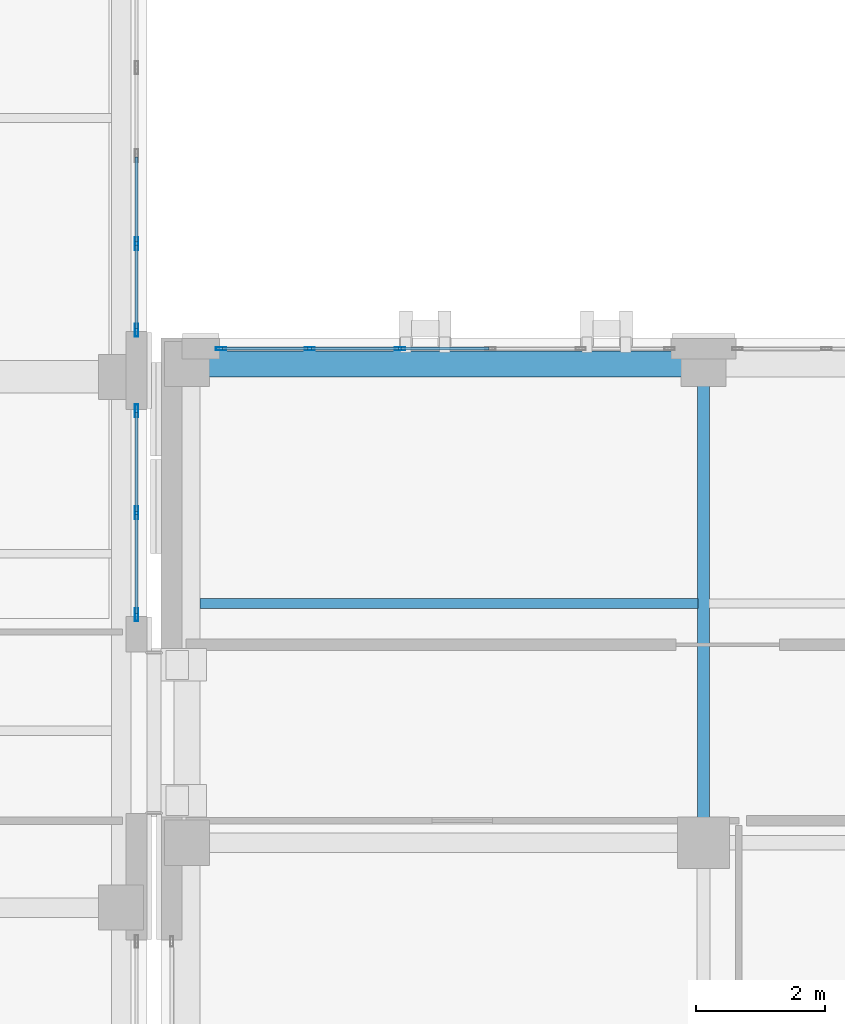
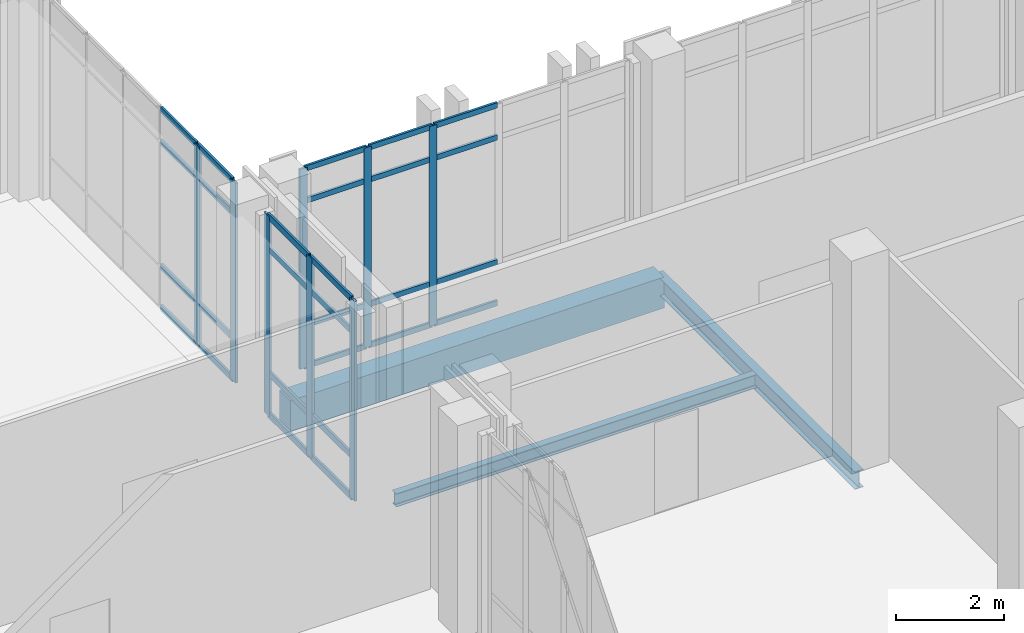
# One storey, part 50 of 189: 36 members, 3 beams, 3 elements without a shape of their own.
"""IFC4 building model written with IfcOpenShell, lengths in metres."""

from ifc_helpers import new_model, si_unit, direction, frame, origin, origin_2d, place, context, subcontext, project, spatial, rectangle, hollow_rectangle, i_section, extrude, material, layer, layer_set, material_profile, profile_set, type_object, element, aggregate, save


model = new_model("IFC4")

# Units and contexts
model_context = context("Model", 3, precision=1e-05, world=origin(), true_north=direction((0.0, 1.0)))
body_context = subcontext(model_context, "Body", "Model", "MODEL_VIEW")
ifc_project = project(units=[si_unit("LENGTHUNIT", "METRE"), si_unit("AREAUNIT", "SQUARE_METRE"), si_unit("VOLUMEUNIT", "CUBIC_METRE"), si_unit("PLANEANGLEUNIT", "RADIAN"), si_unit("MASSUNIT", "GRAM", prefix="KILO")], contexts=[model_context])

# Site, building, storey
site_placement = place(None, origin())
site = spatial("IfcSite", under=ifc_project, at=site_placement, CompositionType="ELEMENT")
building_placement = place(site_placement, origin())
building = spatial("IfcBuilding", under=site, at=building_placement, Name="Qalavern Law Courts", CompositionType="ELEMENT")
storey_placement = place(building_placement, frame((0.0, 0.0, 5.39990234375)))
storey = spatial("IfcBuildingStorey", under=building, at=storey_placement, Name="L01", CompositionType="ELEMENT", Elevation=5.39990234375)

# Curtain wall, members
ifc_material_1 = material(Name="Anodised aluminium and insulated glazing", Category="aluminium")
ifc_layer_1 = layer(ifc_material_1, 0.172119140625)
ifc_layer_set_1 = layer_set([ifc_layer_1], Name="Anodised aluminium and insulated glazing")
curtain_wall_type_1 = type_object("IfcCurtainWallType", Name="ENV-CW-COURT", PredefinedType="USERDEFINED", material=ifc_layer_set_1)
curtain_wall_1_placement = place(storey_placement, origin())
curtain_wall_1 = element("IfcCurtainWall", 1, at=curtain_wall_1_placement, inside=storey, type_object=curtain_wall_type_1, Name="V6 unitised curtain wall L01 north 8", ObjectType="UNITISED CURTAIN WALL", PredefinedType="USERDEFINED")
ifc_material_2 = material(Name="Anodised aluminium", Category="aluminium")
ifc_material_profile_1 = material_profile(ifc_material_2, hollow_rectangle(XDim=0.048095703125, YDim=0.159912109375, WallThickness=0.00390625, at=origin_2d()), Name="ALU MULLION 48x160")
ifc_profile_set_1 = profile_set([ifc_material_profile_1], Name="Anodised aluminium")
member_type_1 = type_object("IfcMemberType", Name="ENV-CWM-48x160", PredefinedType="MULLION", material=ifc_profile_set_1)
member_1_placement = place(storey_placement, frame((105.112060546875, 22.4375, 0.0), z_axis=(0.0, 0.0, 1.0), x_axis=(0.0, -1.0, 0.0)))
member_1 = element("IfcMember", 2, at=member_1_placement, type_object=member_type_1, Name="CW-03 mullion 4", PredefinedType="MULLION", context=body_context, shape_type="SweptSolid", body=[
    extrude(hollow_rectangle(XDim=0.048095703125, YDim=0.159912109375, WallThickness=0.00390625, at=origin_2d()), origin(), (0.0, 0.0, 1.0), 4.510009765625),
])
member_2_placement = place(storey_placement, frame((103.716064453125, 22.4375, 0.0), z_axis=(0.0, 0.0, 1.0), x_axis=(0.0, -1.0, 0.0)))
member_2 = element("IfcMember", 3, at=member_2_placement, type_object=member_type_1, Name="CW-03 mullion 5", PredefinedType="MULLION", context=body_context, shape_type="SweptSolid", body=[
    extrude(hollow_rectangle(XDim=0.048095703125, YDim=0.159912109375, WallThickness=0.00390625, at=origin_2d()), origin(), (0.0, 0.0, 1.0), 4.510009765625),
])
member_3_placement = place(storey_placement, frame((102.343994140625, 22.4375, 0.0), z_axis=(0.0, 0.0, 1.0), x_axis=(0.0, -1.0, 0.0)))
member_3 = element("IfcMember", 4, at=member_3_placement, type_object=member_type_1, Name="CW-03 mullion 6", PredefinedType="MULLION", context=body_context, shape_type="SweptSolid", body=[
    extrude(hollow_rectangle(XDim=0.048095703125, YDim=0.159912109375, WallThickness=0.00390625, at=origin_2d()), origin(), (0.0, 0.0, 1.0), 4.510009765625),
])

ifc_layer_2 = layer(ifc_material_1, 0.18505859375)
ifc_layer_set_2 = layer_set([ifc_layer_2], Name="Anodised aluminium and insulated glazing")
curtain_wall_type_2 = type_object("IfcCurtainWallType", Name="ENV-CW-HALL", PredefinedType="USERDEFINED", material=ifc_layer_set_2)
curtain_wall_2_placement = place(storey_placement, origin())
curtain_wall_2 = element("IfcCurtainWall", 5, at=curtain_wall_2_placement, inside=storey, type_object=curtain_wall_type_2, Name="V2 unitised curtain wall L01 east 1", ObjectType="UNITISED CURTAIN WALL", PredefinedType="USERDEFINED")
ifc_material_profile_2 = material_profile(ifc_material_2, hollow_rectangle(XDim=0.048095703125, YDim=0.199951171875, WallThickness=0.00439453125, at=origin_2d()), Name="ALU MULLION 48x200")
ifc_profile_set_2 = profile_set([ifc_material_profile_2], Name="Anodised aluminium")
member_type_2 = type_object("IfcMemberType", Name="ENV-CWM-48x200", PredefinedType="MULLION", material=ifc_profile_set_2)
member_4_placement = place(storey_placement, frame((101.03759765625, 18.323974609375, 0.0), z_axis=(0.0, 0.0, 1.0), x_axis=(-1.0, 0.0, 0.0)))
member_4 = element("IfcMember", 6, at=member_4_placement, type_object=member_type_2, Name="CW-02 mullion 1", PredefinedType="MULLION", context=body_context, shape_type="SweptSolid", body=[
    extrude(hollow_rectangle(XDim=0.048095703125, YDim=0.199951171875, WallThickness=0.00439453125, at=origin_2d()), origin(), (0.0, 0.0, 1.0), 4.510009765625),
])
member_5_placement = place(storey_placement, frame((101.03759765625, 19.89990234375, 0.0), z_axis=(0.0, 0.0, 1.0), x_axis=(-1.0, 0.0, 0.0)))
member_5 = element("IfcMember", 7, at=member_5_placement, type_object=member_type_2, Name="CW-02 mullion 2", PredefinedType="MULLION", context=body_context, shape_type="SweptSolid", body=[
    extrude(hollow_rectangle(XDim=0.048095703125, YDim=0.199951171875, WallThickness=0.00439453125, at=origin_2d()), origin(), (0.0, 0.0, 1.0), 4.510009765625),
])
member_6_placement = place(storey_placement, frame((101.03759765625, 21.47607421875, 0.0), z_axis=(0.0, 0.0, 1.0), x_axis=(-1.0, 0.0, 0.0)))
member_6 = element("IfcMember", 8, at=member_6_placement, type_object=member_type_2, Name="CW-02 mullion 3", PredefinedType="MULLION", context=body_context, shape_type="SweptSolid", body=[
    extrude(hollow_rectangle(XDim=0.048095703125, YDim=0.199951171875, WallThickness=0.00439453125, at=origin_2d()), origin(), (0.0, 0.0, 1.0), 4.510009765625),
])

curtain_wall_3_placement = place(storey_placement, origin())
curtain_wall_3 = element("IfcCurtainWall", 9, at=curtain_wall_3_placement, inside=storey, type_object=curtain_wall_type_2, Name="V2 unitised curtain wall L01 east 2", ObjectType="UNITISED CURTAIN WALL", PredefinedType="USERDEFINED")
member_7_placement = place(storey_placement, frame((101.03759765625, 22.72412109375, 0.0), z_axis=(0.0, 0.0, 1.0), x_axis=(-1.0, 0.0, 0.0)))
member_7 = element("IfcMember", 10, at=member_7_placement, type_object=member_type_2, Name="CW-02 mullion 1", PredefinedType="MULLION", context=body_context, shape_type="SweptSolid", body=[
    extrude(hollow_rectangle(XDim=0.048095703125, YDim=0.199951171875, WallThickness=0.00439453125, at=origin_2d()), origin(), (0.0, 0.0, 1.0), 4.510009765625),
])
member_8_placement = place(storey_placement, frame((101.03759765625, 24.06005859375, 0.0), z_axis=(0.0, 0.0, 1.0), x_axis=(-1.0, 0.0, 0.0)))
member_8 = element("IfcMember", 11, at=member_8_placement, type_object=member_type_2, Name="CW-02 mullion 2", PredefinedType="MULLION", context=body_context, shape_type="SweptSolid", body=[
    extrude(hollow_rectangle(XDim=0.048095703125, YDim=0.199951171875, WallThickness=0.00439453125, at=origin_2d()), origin(), (0.0, 0.0, 1.0), 4.510009765625),
])

# Member
ifc_material_profile_3 = material_profile(ifc_material_2, hollow_rectangle(XDim=0.048095703125, YDim=0.1201171875, WallThickness=0.00390625, at=origin_2d()), Name="ALU TRANSOM 48x120")
ifc_profile_set_3 = profile_set([ifc_material_profile_3], Name="Anodised aluminium")
member_type_3 = type_object("IfcMemberType", Name="ENV-CWT-48x120", PredefinedType="USERDEFINED", material=ifc_profile_set_3)
member_9_placement = place(storey_placement, frame((106.48388671875, 22.4375, 0.024169921875), z_axis=(-1.0, 0.0, 0.0), x_axis=(0.0, -1.0, 0.0)))
member_9 = element("IfcMember", 12, at=member_9_placement, type_object=member_type_3, Name="CW-03 transom 3.1", ObjectType="TRANSOM", PredefinedType="USERDEFINED", context=body_context, shape_type="SweptSolid", body=[
    extrude(hollow_rectangle(XDim=0.048095703125, YDim=0.1201171875, WallThickness=0.00390625, at=origin_2d()), origin(), (0.0, 0.0, 1.0), 1.347900390625),
])

member_10_placement = place(storey_placement, frame((106.48388671875, 22.4375, 0.9501953125), z_axis=(-1.0, 0.0, 0.0), x_axis=(0.0, -1.0, 0.0)))
member_10 = element("IfcMember", 13, at=member_10_placement, type_object=member_type_3, Name="CW-03 transom 3.2", ObjectType="TRANSOM", PredefinedType="USERDEFINED", context=body_context, shape_type="SweptSolid", body=[
    extrude(hollow_rectangle(XDim=0.048095703125, YDim=0.1201171875, WallThickness=0.00390625, at=origin_2d()), origin(), (0.0, 0.0, 1.0), 1.347900390625),
])

member_11_placement = place(storey_placement, frame((106.48388671875, 22.4375, 3.760009765625), z_axis=(-1.0, 0.0, 0.0), x_axis=(0.0, -1.0, 0.0)))
member_11 = element("IfcMember", 14, at=member_11_placement, type_object=member_type_3, Name="CW-03 transom 3.3", ObjectType="TRANSOM", PredefinedType="USERDEFINED", context=body_context, shape_type="SweptSolid", body=[
    extrude(hollow_rectangle(XDim=0.048095703125, YDim=0.1201171875, WallThickness=0.00390625, at=origin_2d()), origin(), (0.0, 0.0, 1.0), 1.347900390625),
])

member_12_placement = place(storey_placement, frame((106.48388671875, 22.4375, 4.486083984375), z_axis=(-1.0, 0.0, 0.0), x_axis=(0.0, -1.0, 0.0)))
member_12 = element("IfcMember", 15, at=member_12_placement, type_object=member_type_3, Name="CW-03 transom 3.4", ObjectType="TRANSOM", PredefinedType="USERDEFINED", context=body_context, shape_type="SweptSolid", body=[
    extrude(hollow_rectangle(XDim=0.048095703125, YDim=0.1201171875, WallThickness=0.00390625, at=origin_2d()), origin(), (0.0, 0.0, 1.0), 1.347900390625),
])

member_13_placement = place(storey_placement, frame((105.087890625, 22.4375, 0.024169921875), z_axis=(-1.0, 0.0, 0.0), x_axis=(0.0, -1.0, 0.0)))
member_13 = element("IfcMember", 16, at=member_13_placement, type_object=member_type_3, Name="CW-03 transom 4.1", ObjectType="TRANSOM", PredefinedType="USERDEFINED", context=body_context, shape_type="SweptSolid", body=[
    extrude(hollow_rectangle(XDim=0.048095703125, YDim=0.1201171875, WallThickness=0.00390625, at=origin_2d()), origin(), (0.0, 0.0, 1.0), 1.347900390625),
])

member_14_placement = place(storey_placement, frame((105.087890625, 22.4375, 0.9501953125), z_axis=(-1.0, 0.0, 0.0), x_axis=(0.0, -1.0, 0.0)))
member_14 = element("IfcMember", 17, at=member_14_placement, type_object=member_type_3, Name="CW-03 transom 4.2", ObjectType="TRANSOM", PredefinedType="USERDEFINED", context=body_context, shape_type="SweptSolid", body=[
    extrude(hollow_rectangle(XDim=0.048095703125, YDim=0.1201171875, WallThickness=0.00390625, at=origin_2d()), origin(), (0.0, 0.0, 1.0), 1.347900390625),
])

member_15_placement = place(storey_placement, frame((105.087890625, 22.4375, 3.760009765625), z_axis=(-1.0, 0.0, 0.0), x_axis=(0.0, -1.0, 0.0)))
member_15 = element("IfcMember", 18, at=member_15_placement, type_object=member_type_3, Name="CW-03 transom 4.3", ObjectType="TRANSOM", PredefinedType="USERDEFINED", context=body_context, shape_type="SweptSolid", body=[
    extrude(hollow_rectangle(XDim=0.048095703125, YDim=0.1201171875, WallThickness=0.00390625, at=origin_2d()), origin(), (0.0, 0.0, 1.0), 1.347900390625),
])

member_16_placement = place(storey_placement, frame((105.087890625, 22.4375, 4.486083984375), z_axis=(-1.0, 0.0, 0.0), x_axis=(0.0, -1.0, 0.0)))
member_16 = element("IfcMember", 19, at=member_16_placement, type_object=member_type_3, Name="CW-03 transom 4.4", ObjectType="TRANSOM", PredefinedType="USERDEFINED", context=body_context, shape_type="SweptSolid", body=[
    extrude(hollow_rectangle(XDim=0.048095703125, YDim=0.1201171875, WallThickness=0.00390625, at=origin_2d()), origin(), (0.0, 0.0, 1.0), 1.347900390625),
])

member_17_placement = place(storey_placement, frame((103.69189453125, 22.4375, 0.024169921875), z_axis=(-1.0, 0.0, 0.0), x_axis=(0.0, -1.0, 0.0)))
member_17 = element("IfcMember", 20, at=member_17_placement, type_object=member_type_3, Name="CW-03 transom 5.1", ObjectType="TRANSOM", PredefinedType="USERDEFINED", context=body_context, shape_type="SweptSolid", body=[
    extrude(hollow_rectangle(XDim=0.048095703125, YDim=0.1201171875, WallThickness=0.00390625, at=origin_2d()), origin(), (0.0, 0.0, 1.0), 1.323974609375),
])

member_18_placement = place(storey_placement, frame((103.69189453125, 22.4375, 0.9501953125), z_axis=(-1.0, 0.0, 0.0), x_axis=(0.0, -1.0, 0.0)))
member_18 = element("IfcMember", 21, at=member_18_placement, type_object=member_type_3, Name="CW-03 transom 5.2", ObjectType="TRANSOM", PredefinedType="USERDEFINED", context=body_context, shape_type="SweptSolid", body=[
    extrude(hollow_rectangle(XDim=0.048095703125, YDim=0.1201171875, WallThickness=0.00390625, at=origin_2d()), origin(), (0.0, 0.0, 1.0), 1.323974609375),
])

member_19_placement = place(storey_placement, frame((103.69189453125, 22.4375, 3.760009765625), z_axis=(-1.0, 0.0, 0.0), x_axis=(0.0, -1.0, 0.0)))
member_19 = element("IfcMember", 22, at=member_19_placement, type_object=member_type_3, Name="CW-03 transom 5.3", ObjectType="TRANSOM", PredefinedType="USERDEFINED", context=body_context, shape_type="SweptSolid", body=[
    extrude(hollow_rectangle(XDim=0.048095703125, YDim=0.1201171875, WallThickness=0.00390625, at=origin_2d()), origin(), (0.0, 0.0, 1.0), 1.323974609375),
])

member_20_placement = place(storey_placement, frame((103.69189453125, 22.4375, 4.486083984375), z_axis=(-1.0, 0.0, 0.0), x_axis=(0.0, -1.0, 0.0)))
member_20 = element("IfcMember", 23, at=member_20_placement, type_object=member_type_3, Name="CW-03 transom 5.4", ObjectType="TRANSOM", PredefinedType="USERDEFINED", context=body_context, shape_type="SweptSolid", body=[
    extrude(hollow_rectangle(XDim=0.048095703125, YDim=0.1201171875, WallThickness=0.00390625, at=origin_2d()), origin(), (0.0, 0.0, 1.0), 1.323974609375),
])

aggregate(curtain_wall_1, [member_1, member_2, member_3, member_9, member_10, member_11, member_12, member_13, member_14, member_15, member_16, member_17, member_18, member_19, member_20])

ifc_material_profile_4 = material_profile(ifc_material_2, hollow_rectangle(XDim=0.048095703125, YDim=0.139892578125, WallThickness=0.00390625, at=origin_2d()), Name="ALU TRANSOM 48x140")
ifc_profile_set_4 = profile_set([ifc_material_profile_4], Name="Anodised aluminium")
member_type_4 = type_object("IfcMemberType", Name="ENV-CWT-48x140", PredefinedType="USERDEFINED", material=ifc_profile_set_4)
member_21_placement = place(storey_placement, frame((101.03759765625, 18.347900390625, 0.024169921875), z_axis=(0.0, 1.0, 0.0), x_axis=(-1.0, 0.0, 0.0)))
member_21 = element("IfcMember", 24, at=member_21_placement, type_object=member_type_4, Name="CW-02 transom 1.1", ObjectType="TRANSOM", PredefinedType="USERDEFINED", context=body_context, shape_type="SweptSolid", body=[
    extrude(hollow_rectangle(XDim=0.048095703125, YDim=0.139892578125, WallThickness=0.00390625, at=origin_2d()), origin(), (0.0, 0.0, 1.0), 1.528076171875),
])

member_22_placement = place(storey_placement, frame((101.03759765625, 18.347900390625, 0.9501953125), z_axis=(0.0, 1.0, 0.0), x_axis=(-1.0, 0.0, 0.0)))
member_22 = element("IfcMember", 25, at=member_22_placement, type_object=member_type_4, Name="CW-02 transom 1.2", ObjectType="TRANSOM", PredefinedType="USERDEFINED", context=body_context, shape_type="SweptSolid", body=[
    extrude(hollow_rectangle(XDim=0.048095703125, YDim=0.139892578125, WallThickness=0.00390625, at=origin_2d()), origin(), (0.0, 0.0, 1.0), 1.528076171875),
])

member_23_placement = place(storey_placement, frame((101.03759765625, 18.347900390625, 3.760009765625), z_axis=(0.0, 1.0, 0.0), x_axis=(-1.0, 0.0, 0.0)))
member_23 = element("IfcMember", 26, at=member_23_placement, type_object=member_type_4, Name="CW-02 transom 1.3", ObjectType="TRANSOM", PredefinedType="USERDEFINED", context=body_context, shape_type="SweptSolid", body=[
    extrude(hollow_rectangle(XDim=0.048095703125, YDim=0.139892578125, WallThickness=0.00390625, at=origin_2d()), origin(), (0.0, 0.0, 1.0), 1.528076171875),
])

member_24_placement = place(storey_placement, frame((101.03759765625, 18.347900390625, 4.486083984375), z_axis=(0.0, 1.0, 0.0), x_axis=(-1.0, 0.0, 0.0)))
member_24 = element("IfcMember", 27, at=member_24_placement, type_object=member_type_4, Name="CW-02 transom 1.4", ObjectType="TRANSOM", PredefinedType="USERDEFINED", context=body_context, shape_type="SweptSolid", body=[
    extrude(hollow_rectangle(XDim=0.048095703125, YDim=0.139892578125, WallThickness=0.00390625, at=origin_2d()), origin(), (0.0, 0.0, 1.0), 1.528076171875),
])

member_25_placement = place(storey_placement, frame((101.03759765625, 19.924072265625, 0.024169921875), z_axis=(0.0, 1.0, 0.0), x_axis=(-1.0, 0.0, 0.0)))
member_25 = element("IfcMember", 28, at=member_25_placement, type_object=member_type_4, Name="CW-02 transom 2.1", ObjectType="TRANSOM", PredefinedType="USERDEFINED", context=body_context, shape_type="SweptSolid", body=[
    extrude(hollow_rectangle(XDim=0.048095703125, YDim=0.139892578125, WallThickness=0.00390625, at=origin_2d()), origin(), (0.0, 0.0, 1.0), 1.52783203125),
])

member_26_placement = place(storey_placement, frame((101.03759765625, 19.924072265625, 0.9501953125), z_axis=(0.0, 1.0, 0.0), x_axis=(-1.0, 0.0, 0.0)))
member_26 = element("IfcMember", 29, at=member_26_placement, type_object=member_type_4, Name="CW-02 transom 2.2", ObjectType="TRANSOM", PredefinedType="USERDEFINED", context=body_context, shape_type="SweptSolid", body=[
    extrude(hollow_rectangle(XDim=0.048095703125, YDim=0.139892578125, WallThickness=0.00390625, at=origin_2d()), origin(), (0.0, 0.0, 1.0), 1.52783203125),
])

member_27_placement = place(storey_placement, frame((101.03759765625, 19.924072265625, 3.760009765625), z_axis=(0.0, 1.0, 0.0), x_axis=(-1.0, 0.0, 0.0)))
member_27 = element("IfcMember", 30, at=member_27_placement, type_object=member_type_4, Name="CW-02 transom 2.3", ObjectType="TRANSOM", PredefinedType="USERDEFINED", context=body_context, shape_type="SweptSolid", body=[
    extrude(hollow_rectangle(XDim=0.048095703125, YDim=0.139892578125, WallThickness=0.00390625, at=origin_2d()), origin(), (0.0, 0.0, 1.0), 1.52783203125),
])

member_28_placement = place(storey_placement, frame((101.03759765625, 19.924072265625, 4.486083984375), z_axis=(0.0, 1.0, 0.0), x_axis=(-1.0, 0.0, 0.0)))
member_28 = element("IfcMember", 31, at=member_28_placement, type_object=member_type_4, Name="CW-02 transom 2.4", ObjectType="TRANSOM", PredefinedType="USERDEFINED", context=body_context, shape_type="SweptSolid", body=[
    extrude(hollow_rectangle(XDim=0.048095703125, YDim=0.139892578125, WallThickness=0.00390625, at=origin_2d()), origin(), (0.0, 0.0, 1.0), 1.52783203125),
])

aggregate(curtain_wall_2, [member_4, member_5, member_6, member_21, member_22, member_23, member_24, member_25, member_26, member_27, member_28])

member_29_placement = place(storey_placement, frame((101.03759765625, 22.748046875, 0.024169921875), z_axis=(0.0, 1.0, 0.0), x_axis=(-1.0, 0.0, 0.0)))
member_29 = element("IfcMember", 32, at=member_29_placement, type_object=member_type_4, Name="CW-02 transom 1.1", ObjectType="TRANSOM", PredefinedType="USERDEFINED", context=body_context, shape_type="SweptSolid", body=[
    extrude(hollow_rectangle(XDim=0.048095703125, YDim=0.139892578125, WallThickness=0.00390625, at=origin_2d()), origin(), (0.0, 0.0, 1.0), 1.287841796875),
])

member_30_placement = place(storey_placement, frame((101.03759765625, 22.748046875, 0.9501953125), z_axis=(0.0, 1.0, 0.0), x_axis=(-1.0, 0.0, 0.0)))
member_30 = element("IfcMember", 33, at=member_30_placement, type_object=member_type_4, Name="CW-02 transom 1.2", ObjectType="TRANSOM", PredefinedType="USERDEFINED", context=body_context, shape_type="SweptSolid", body=[
    extrude(hollow_rectangle(XDim=0.048095703125, YDim=0.139892578125, WallThickness=0.00390625, at=origin_2d()), origin(), (0.0, 0.0, 1.0), 1.287841796875),
])

member_31_placement = place(storey_placement, frame((101.03759765625, 22.748046875, 3.760009765625), z_axis=(0.0, 1.0, 0.0), x_axis=(-1.0, 0.0, 0.0)))
member_31 = element("IfcMember", 34, at=member_31_placement, type_object=member_type_4, Name="CW-02 transom 1.3", ObjectType="TRANSOM", PredefinedType="USERDEFINED", context=body_context, shape_type="SweptSolid", body=[
    extrude(hollow_rectangle(XDim=0.048095703125, YDim=0.139892578125, WallThickness=0.00390625, at=origin_2d()), origin(), (0.0, 0.0, 1.0), 1.287841796875),
])

member_32_placement = place(storey_placement, frame((101.03759765625, 22.748046875, 4.486083984375), z_axis=(0.0, 1.0, 0.0), x_axis=(-1.0, 0.0, 0.0)))
member_32 = element("IfcMember", 35, at=member_32_placement, type_object=member_type_4, Name="CW-02 transom 1.4", ObjectType="TRANSOM", PredefinedType="USERDEFINED", context=body_context, shape_type="SweptSolid", body=[
    extrude(hollow_rectangle(XDim=0.048095703125, YDim=0.139892578125, WallThickness=0.00390625, at=origin_2d()), origin(), (0.0, 0.0, 1.0), 1.287841796875),
])

member_33_placement = place(storey_placement, frame((101.03759765625, 24.083984375, 0.024169921875), z_axis=(0.0, 1.0, 0.0), x_axis=(-1.0, 0.0, 0.0)))
member_33 = element("IfcMember", 36, at=member_33_placement, type_object=member_type_4, Name="CW-02 transom 2.1", ObjectType="TRANSOM", PredefinedType="USERDEFINED", context=body_context, shape_type="SweptSolid", body=[
    extrude(hollow_rectangle(XDim=0.048095703125, YDim=0.139892578125, WallThickness=0.00390625, at=origin_2d()), origin(), (0.0, 0.0, 1.0), 1.31201171875),
])

member_34_placement = place(storey_placement, frame((101.03759765625, 24.083984375, 0.9501953125), z_axis=(0.0, 1.0, 0.0), x_axis=(-1.0, 0.0, 0.0)))
member_34 = element("IfcMember", 37, at=member_34_placement, type_object=member_type_4, Name="CW-02 transom 2.2", ObjectType="TRANSOM", PredefinedType="USERDEFINED", context=body_context, shape_type="SweptSolid", body=[
    extrude(hollow_rectangle(XDim=0.048095703125, YDim=0.139892578125, WallThickness=0.00390625, at=origin_2d()), origin(), (0.0, 0.0, 1.0), 1.31201171875),
])

member_35_placement = place(storey_placement, frame((101.03759765625, 24.083984375, 3.760009765625), z_axis=(0.0, 1.0, 0.0), x_axis=(-1.0, 0.0, 0.0)))
member_35 = element("IfcMember", 38, at=member_35_placement, type_object=member_type_4, Name="CW-02 transom 2.3", ObjectType="TRANSOM", PredefinedType="USERDEFINED", context=body_context, shape_type="SweptSolid", body=[
    extrude(hollow_rectangle(XDim=0.048095703125, YDim=0.139892578125, WallThickness=0.00390625, at=origin_2d()), origin(), (0.0, 0.0, 1.0), 1.31201171875),
])

member_36_placement = place(storey_placement, frame((101.03759765625, 24.083984375, 4.486083984375), z_axis=(0.0, 1.0, 0.0), x_axis=(-1.0, 0.0, 0.0)))
member_36 = element("IfcMember", 39, at=member_36_placement, type_object=member_type_4, Name="CW-02 transom 2.4", ObjectType="TRANSOM", PredefinedType="USERDEFINED", context=body_context, shape_type="SweptSolid", body=[
    extrude(hollow_rectangle(XDim=0.048095703125, YDim=0.139892578125, WallThickness=0.00390625, at=origin_2d()), origin(), (0.0, 0.0, 1.0), 1.31201171875),
])

aggregate(curtain_wall_3, [member_7, member_8, member_29, member_30, member_31, member_32, member_33, member_34, member_35, member_36])

# Beams
ifc_material_3 = material(Name="Steel S355", Category="steel")
ifc_material_profile_5 = material_profile(ifc_material_3, i_section(OverallWidth=0.179931640625, OverallDepth=0.39990234375, WebThickness=0.008544921875, FlangeThickness=0.013427734375, FilletRadius=0.02099609375, at=origin_2d()), Name="IPE 400")
ifc_profile_set_5 = profile_set([ifc_material_profile_5], Name="Steel S355")
beam_type_1 = type_object("IfcBeamType", Name="STR-BM-IPE400", PredefinedType="BEAM", material=ifc_profile_set_5)
beam_1_placement = place(storey_placement, frame((109.800048828125, 14.800048828125, -0.5), z_axis=(0.0, 1.0, 0.0), x_axis=(-1.0, 0.0, 0.0)))
element("IfcBeam", 40, at=beam_1_placement, inside=storey, type_object=beam_type_1, Name="V6 Y-beam 2-3 L01", PredefinedType="BEAM", context=body_context, shape_type="SweptSolid", body=[
    extrude(i_section(OverallWidth=0.179931640625, OverallDepth=0.39990234375, WebThickness=0.008544921875, FlangeThickness=0.013427734375, FilletRadius=0.02099609375, at=origin_2d()), origin(), (0.0, 0.0, 1.0), 7.39990234375),
])
ifc_material_profile_6 = material_profile(ifc_material_3, i_section(OverallWidth=0.14990234375, OverallDepth=0.300048828125, WebThickness=0.007080078125, FlangeThickness=0.0107421875, FilletRadius=0.014892578125, at=origin_2d()), Name="IPE 300")
ifc_profile_set_6 = profile_set([ifc_material_profile_6], Name="Steel S355")
beam_type_2 = type_object("IfcBeamType", Name="STR-JST-IPE300", PredefinedType="JOIST", material=ifc_profile_set_6)
beam_2_placement = place(storey_placement, frame((102.01806640625, 18.5, -0.449951171875), z_axis=(1.0, 0.0, 0.0), x_axis=(0.0, 1.0, 0.0)))
element("IfcBeam", 41, at=beam_2_placement, inside=storey, type_object=beam_type_2, Name="V6 secondary joist 1.3.1 L01", PredefinedType="JOIST", context=body_context, shape_type="SweptSolid", body=[
    extrude(i_section(OverallWidth=0.14990234375, OverallDepth=0.300048828125, WebThickness=0.007080078125, FlangeThickness=0.0107421875, FilletRadius=0.014892578125, at=origin_2d()), origin(), (0.0, 0.0, 1.0), 7.69384765625),
])
ifc_material_4 = material(Name="Concrete C40/50", Category="concrete")
ifc_material_profile_7 = material_profile(ifc_material_4, rectangle(XDim=0.39990234375, YDim=0.699951171875, at=origin_2d()), Name="RC 400x700")
ifc_profile_set_7 = profile_set([ifc_material_profile_7], Name="Concrete C40/50")
beam_type_3 = type_object("IfcBeamType", Name="STR-SP-RC400x700", PredefinedType="SPANDREL", material=ifc_profile_set_7)
beam_3_placement = place(storey_placement, frame((101.820068359375, 22.199951171875, -0.64990234375), z_axis=(1.0, 0.0, 0.0), x_axis=(0.0, 1.0, 0.0)))
element("IfcBeam", 42, at=beam_3_placement, inside=storey, type_object=beam_type_3, Name="V6 X-beam 4-1 L01", PredefinedType="SPANDREL", context=body_context, shape_type="SweptSolid", body=[
    extrude(rectangle(XDim=0.39990234375, YDim=0.699951171875, at=origin_2d()), origin(), (0.0, 0.0, 1.0), 7.97998046875),
])

save(model, "model.ifc")
